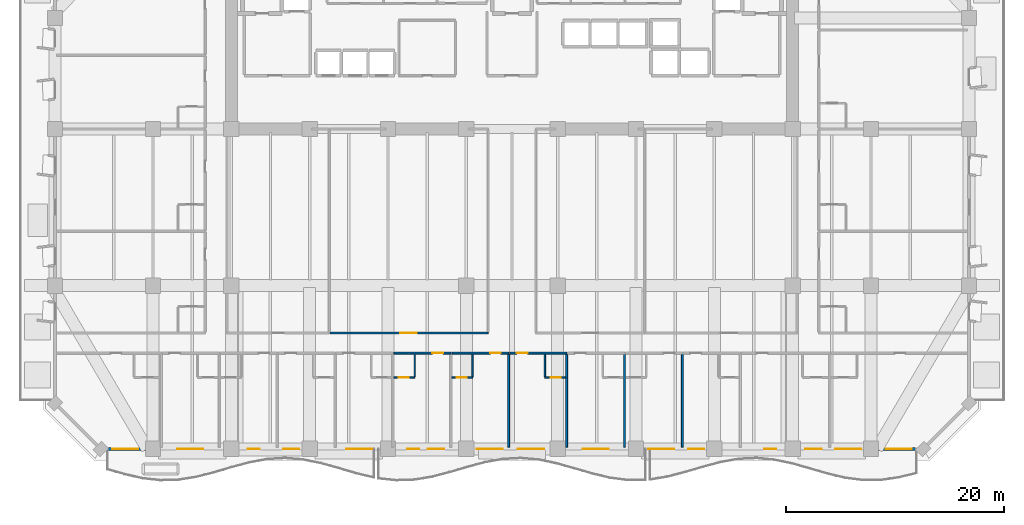
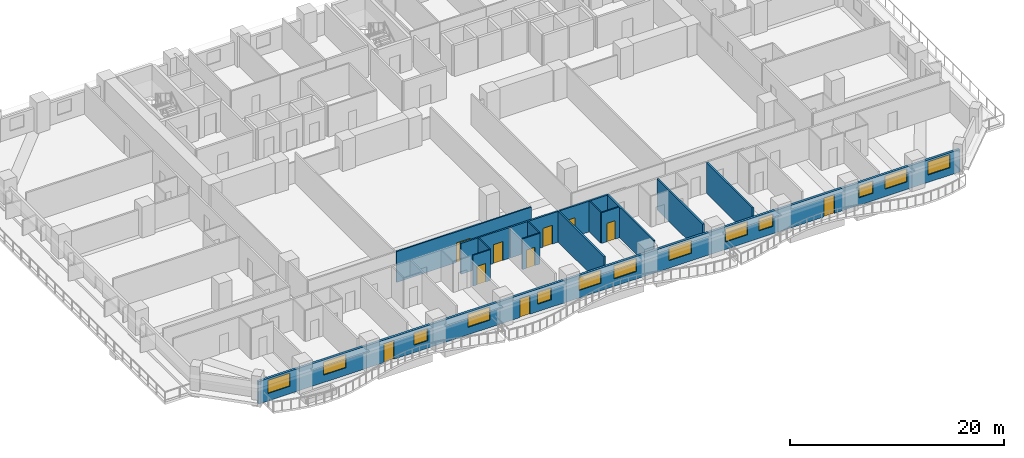
# One storey, part 7 of 17: 15 walls, 13 windows, 10 doors, 23 openings.
"""IFC4 building model written with IfcOpenShell, lengths in metres."""

from ifc_helpers import new_model, si_unit, direction, frame, frame_2d, origin, place, context, subcontext, project, spatial, rectangle, extrude, material, layer, layer_set, type_object, element, fill, save


model = new_model("IFC4")

# Units and contexts
model_context = context("Model", 3, precision=1e-05, world=origin(), true_north=direction((0.0, 1.0)))
body_context = subcontext(model_context, "Body", "Model", "MODEL_VIEW")
ifc_project = project(units=[si_unit("LENGTHUNIT", "METRE"), si_unit("AREAUNIT", "SQUARE_METRE"), si_unit("VOLUMEUNIT", "CUBIC_METRE"), si_unit("PLANEANGLEUNIT", "RADIAN"), si_unit("MASSUNIT", "GRAM", prefix="KILO")], contexts=[model_context])

# Site, building, storey
site_placement = place(None, origin())
site = spatial("IfcSite", under=ifc_project, at=site_placement, CompositionType="ELEMENT")
building_placement = place(site_placement, origin())
building = spatial("IfcBuilding", under=site, at=building_placement, Name="Kaelvorn Grand Hotel", CompositionType="ELEMENT")
storey_placement = place(building_placement, frame((0.0, 0.0, 31.39990234375)))
storey = spatial("IfcBuildingStorey", under=building, at=storey_placement, Name="L05", CompositionType="ELEMENT", Elevation=31.39990234375)

# Wall, openings, doors, windows
ifc_material_1 = material(Name="Concrete C40/50", Category="concrete")
ifc_layer_1 = layer(ifc_material_1, 0.260009765625)
ifc_layer_set_1 = layer_set([ifc_layer_1], Name="Concrete C40/50")
wall_type_1 = type_object("IfcWallType", Name="WL-EXT-260-C40", PredefinedType="SOLIDWALL", material=ifc_layer_set_1)
wall_1_placement = place(storey_placement, frame((4.199951171875, 0.0, 0.0), z_axis=(0.0, 0.0, 1.0), x_axis=(1.0, 0.0, 0.0)))
wall_1 = element("IfcWall", 1, at=wall_1_placement, inside=storey, type_object=wall_type_1, Name="L05 Exterior Architectural Concrete Wall 01", PredefinedType="SOLIDWALL", context=body_context, shape_type="SweptSolid", body=[
    extrude(rectangle(XDim=75.60009765625, YDim=0.260009765625, at=frame_2d((37.800048828125, 0.0))), origin(), (0.0, 0.0, 1.0), 2.56005859375),
])
opening_1_placement = place(wall_1_placement, frame((13.5166015625, 0.0, 0.0)))
opening_1 = element("IfcOpeningElement", 2, at=opening_1_placement, cuts=wall_1, Name="Opening DE2", PredefinedType="OPENING", context=body_context, shape_type="SweptSolid", body=[
    extrude(rectangle(XDim=1.10009765625, YDim=2.14990234375, at=frame_2d((0.550048828125, 1.074951171875))), frame((0.0, 0.14013671875, 0.0), z_axis=(0.0, -1.0, 0.0), x_axis=(1.0, 0.0, 0.0)), (0.0, 0.0, 1.0), 0.280029296875),
])
opening_2_placement = place(wall_1_placement, frame((28.183349609375, 0.0, 0.0)))
opening_2 = element("IfcOpeningElement", 3, at=opening_2_placement, cuts=wall_1, Name="Opening DE2", PredefinedType="OPENING", context=body_context, shape_type="SweptSolid", body=[
    extrude(rectangle(XDim=1.10009765625, YDim=2.14990234375, at=frame_2d((0.550048828125, 1.074951171875))), frame((0.0, 0.14013671875, 0.0), z_axis=(0.0, -1.0, 0.0), x_axis=(1.0, 0.0, 0.0)), (0.0, 0.0, 1.0), 0.280029296875),
])
opening_3_placement = place(wall_1_placement, frame((60.9833984375, 0.0, 0.0)))
opening_3 = element("IfcOpeningElement", 4, at=opening_3_placement, cuts=wall_1, Name="Opening DE2", PredefinedType="OPENING", context=body_context, shape_type="SweptSolid", body=[
    extrude(rectangle(XDim=1.10009765625, YDim=2.14990234375, at=frame_2d((0.550048828125, 1.074951171875))), frame((0.0, 0.14013671875, 0.0), z_axis=(0.0, -1.0, 0.0), x_axis=(1.0, 0.0, 0.0)), (0.0, 0.0, 1.0), 0.280029296875),
])
opening_4_placement = place(wall_1_placement, frame((1.034912109375, 0.0, 0.85009765625)))
opening_4 = element("IfcOpeningElement", 5, at=opening_4_placement, cuts=wall_1, Name="Opening W6", PredefinedType="OPENING", context=body_context, shape_type="SweptSolid", body=[
    extrude(rectangle(XDim=2.39990234375, YDim=1.5, at=frame_2d((1.199951171875, 0.75))), frame((0.0, 0.14013671875, 0.0), z_axis=(0.0, -1.0, 0.0), x_axis=(1.0, 0.0, 0.0)), (0.0, 0.0, 1.0), 0.280029296875),
])
opening_5_placement = place(wall_1_placement, frame((7.031494140625, 0.0, 0.85009765625)))
opening_5 = element("IfcOpeningElement", 6, at=opening_5_placement, cuts=wall_1, Name="Opening W6", PredefinedType="OPENING", context=body_context, shape_type="SweptSolid", body=[
    extrude(rectangle(XDim=2.39990234375, YDim=1.5, at=frame_2d((1.199951171875, 0.75))), frame((0.0, 0.14013671875, 0.0), z_axis=(0.0, -1.0, 0.0), x_axis=(1.0, 0.0, 0.0)), (0.0, 0.0, 1.0), 0.280029296875),
])
opening_6_placement = place(wall_1_placement, frame((16.757080078125, 0.0, 0.85009765625)))
opening_6 = element("IfcOpeningElement", 7, at=opening_6_placement, cuts=wall_1, Name="Opening W10", PredefinedType="OPENING", context=body_context, shape_type="SweptSolid", body=[
    extrude(rectangle(XDim=1.5, YDim=1.39990234375, at=frame_2d((0.75, 0.699951171875))), frame((0.0, 0.14013671875, 0.0), z_axis=(0.0, -1.0, 0.0), x_axis=(1.0, 0.0, 0.0)), (0.0, 0.0, 1.0), 0.280029296875),
])
opening_7_placement = place(wall_1_placement, frame((22.5673828125, 0.0, 0.85009765625)))
opening_7 = element("IfcOpeningElement", 8, at=opening_7_placement, cuts=wall_1, Name="Opening W6", PredefinedType="OPENING", context=body_context, shape_type="SweptSolid", body=[
    extrude(rectangle(XDim=2.39990234375, YDim=1.5, at=frame_2d((1.199951171875, 0.75))), frame((0.0, 0.14013671875, 0.0), z_axis=(0.0, -1.0, 0.0), x_axis=(1.0, 0.0, 0.0)), (0.0, 0.0, 1.0), 0.280029296875),
])
opening_8_placement = place(wall_1_placement, frame((30.065185546875, 0.0, 0.85009765625)))
opening_8 = element("IfcOpeningElement", 9, at=opening_8_placement, cuts=wall_1, Name="Opening W10", PredefinedType="OPENING", context=body_context, shape_type="SweptSolid", body=[
    extrude(rectangle(XDim=1.5, YDim=1.39990234375, at=frame_2d((0.75, 0.699951171875))), frame((0.0, 0.14013671875, 0.0), z_axis=(0.0, -1.0, 0.0), x_axis=(1.0, 0.0, 0.0)), (0.0, 0.0, 1.0), 0.280029296875),
])
opening_9_placement = place(wall_1_placement, frame((34.549560546875, 0.0, 0.85009765625)))
opening_9 = element("IfcOpeningElement", 10, at=opening_9_placement, cuts=wall_1, Name="Opening W6", PredefinedType="OPENING", context=body_context, shape_type="SweptSolid", body=[
    extrude(rectangle(XDim=2.39990234375, YDim=1.5, at=frame_2d((1.199951171875, 0.75))), frame((0.0, 0.14013671875, 0.0), z_axis=(0.0, -1.0, 0.0), x_axis=(1.0, 0.0, 0.0)), (0.0, 0.0, 1.0), 0.280029296875),
])
opening_10_placement = place(wall_1_placement, frame((38.349609375, 0.0, 0.85009765625)))
opening_10 = element("IfcOpeningElement", 11, at=opening_10_placement, cuts=wall_1, Name="Opening W6", PredefinedType="OPENING", context=body_context, shape_type="SweptSolid", body=[
    extrude(rectangle(XDim=2.39990234375, YDim=1.5, at=frame_2d((1.199951171875, 0.75))), frame((0.0, 0.14013671875, 0.0), z_axis=(0.0, -1.0, 0.0), x_axis=(1.0, 0.0, 0.0)), (0.0, 0.0, 1.0), 0.280029296875),
])
opening_11_placement = place(wall_1_placement, frame((44.280517578125, 0.0, 0.85009765625)))
opening_11 = element("IfcOpeningElement", 12, at=opening_11_placement, cuts=wall_1, Name="Opening W6", PredefinedType="OPENING", context=body_context, shape_type="SweptSolid", body=[
    extrude(rectangle(XDim=2.39990234375, YDim=1.5, at=frame_2d((1.199951171875, 0.75))), frame((0.0, 0.14013671875, 0.0), z_axis=(0.0, -1.0, 0.0), x_axis=(1.0, 0.0, 0.0)), (0.0, 0.0, 1.0), 0.280029296875),
])
opening_12_placement = place(wall_1_placement, frame((50.33154296875, 0.0, 0.85009765625)))
opening_12 = element("IfcOpeningElement", 13, at=opening_12_placement, cuts=wall_1, Name="Opening W6", PredefinedType="OPENING", context=body_context, shape_type="SweptSolid", body=[
    extrude(rectangle(XDim=2.39990234375, YDim=1.5, at=frame_2d((1.199951171875, 0.75))), frame((0.0, 0.14013671875, 0.0), z_axis=(0.0, -1.0, 0.0), x_axis=(1.0, 0.0, 0.0)), (0.0, 0.0, 1.0), 0.280029296875),
])
opening_13_placement = place(wall_1_placement, frame((53.9814453125, 0.0, 0.85009765625)))
opening_13 = element("IfcOpeningElement", 14, at=opening_13_placement, cuts=wall_1, Name="Opening W10", PredefinedType="OPENING", context=body_context, shape_type="SweptSolid", body=[
    extrude(rectangle(XDim=1.5, YDim=1.39990234375, at=frame_2d((0.75, 0.699951171875))), frame((0.0, 0.14013671875, 0.0), z_axis=(0.0, -1.0, 0.0), x_axis=(1.0, 0.0, 0.0)), (0.0, 0.0, 1.0), 0.280029296875),
])
opening_14_placement = place(wall_1_placement, frame((64.758544921875, 0.0, 0.85009765625)))
opening_14 = element("IfcOpeningElement", 15, at=opening_14_placement, cuts=wall_1, Name="Opening W10", PredefinedType="OPENING", context=body_context, shape_type="SweptSolid", body=[
    extrude(rectangle(XDim=1.5, YDim=1.39990234375, at=frame_2d((0.75, 0.699951171875))), frame((0.0, 0.14013671875, 0.0), z_axis=(0.0, -1.0, 0.0), x_axis=(1.0, 0.0, 0.0)), (0.0, 0.0, 1.0), 0.280029296875),
])
opening_15_placement = place(wall_1_placement, frame((67.508544921875, 0.0, 0.85009765625)))
opening_15 = element("IfcOpeningElement", 16, at=opening_15_placement, cuts=wall_1, Name="Opening W6", PredefinedType="OPENING", context=body_context, shape_type="SweptSolid", body=[
    extrude(rectangle(XDim=2.39990234375, YDim=1.5, at=frame_2d((1.199951171875, 0.75))), frame((0.0, 0.14013671875, 0.0), z_axis=(0.0, -1.0, 0.0), x_axis=(1.0, 0.0, 0.0)), (0.0, 0.0, 1.0), 0.280029296875),
])
opening_16_placement = place(wall_1_placement, frame((72.1650390625, 0.0, 0.85009765625)))
opening_16 = element("IfcOpeningElement", 17, at=opening_16_placement, cuts=wall_1, Name="Opening W6", PredefinedType="OPENING", context=body_context, shape_type="SweptSolid", body=[
    extrude(rectangle(XDim=2.39990234375, YDim=1.5, at=frame_2d((1.199951171875, 0.75))), frame((0.0, 0.14013671875, 0.0), z_axis=(0.0, -1.0, 0.0), x_axis=(1.0, 0.0, 0.0)), (0.0, 0.0, 1.0), 0.280029296875),
])
ifc_material_2 = material(Name="Anodised Aluminium", Category="aluminium")
door_type_1 = type_object("IfcDoorType", Name="DR-EXT-BALC-1100x2150", OperationType="NOTDEFINED", PredefinedType="DOOR", material=ifc_material_2)
door_1_placement = place(opening_1_placement, origin())
door_1 = element("IfcDoor", 18, at=door_1_placement, inside=storey, type_object=door_type_1, Name="L05 Scalloped Balcony Glazed Door DE2-1", OperationType="SINGLE_SWING_RIGHT", OverallHeight=2.14990234375, OverallWidth=1.10009765625, PredefinedType="DOOR", context=body_context, shape_type="SweptSolid", body=[
    extrude(rectangle(XDim=1.10009765625, YDim=2.14990234375, at=frame_2d((0.550048828125, 1.074951171875))), frame((0.0, 0.02490234375, 0.0), z_axis=(0.0, -1.0, 0.0), x_axis=(1.0, 0.0, 0.0)), (0.0, 0.0, 1.0), 0.050048828125),
])
fill(opening_1, door_1)
door_2_placement = place(opening_2_placement, origin())
door_2 = element("IfcDoor", 19, at=door_2_placement, inside=storey, type_object=door_type_1, Name="L05 Scalloped Balcony Glazed Door DE2-2", OperationType="SINGLE_SWING_LEFT", OverallHeight=2.14990234375, OverallWidth=1.10009765625, PredefinedType="DOOR", context=body_context, shape_type="SweptSolid", body=[
    extrude(rectangle(XDim=1.10009765625, YDim=2.14990234375, at=frame_2d((0.550048828125, 1.074951171875))), frame((0.0, 0.02490234375, 0.0), z_axis=(0.0, -1.0, 0.0), x_axis=(1.0, 0.0, 0.0)), (0.0, 0.0, 1.0), 0.050048828125),
])
fill(opening_2, door_2)
door_3_placement = place(opening_3_placement, origin())
door_3 = element("IfcDoor", 20, at=door_3_placement, inside=storey, type_object=door_type_1, Name="L05 Scalloped Balcony Glazed Door DE2-3", OperationType="SINGLE_SWING_RIGHT", OverallHeight=2.14990234375, OverallWidth=1.10009765625, PredefinedType="DOOR", context=body_context, shape_type="SweptSolid", body=[
    extrude(rectangle(XDim=1.10009765625, YDim=2.14990234375, at=frame_2d((0.550048828125, 1.074951171875))), frame((0.0, 0.02490234375, 0.0), z_axis=(0.0, -1.0, 0.0), x_axis=(1.0, 0.0, 0.0)), (0.0, 0.0, 1.0), 0.050048828125),
])
fill(opening_3, door_3)
ifc_material_3 = material(Name="Laminated Low-E Glass", Category="glass")
window_type_1 = type_object("IfcWindowType", Name="WIN-COR-1500x1400", PartitioningType="SINGLE_PANEL", PredefinedType="WINDOW", material=ifc_material_3)
window_1_placement = place(opening_6_placement, origin())
window_1 = element("IfcWindow", 21, at=window_1_placement, inside=storey, type_object=window_type_1, Name="L05 South Guestroom Ribbon Window SR03", OverallHeight=1.39990234375, OverallWidth=1.5, PartitioningType="SINGLE_PANEL", PredefinedType="WINDOW", context=body_context, shape_type="SweptSolid", body=[
    extrude(rectangle(XDim=1.5, YDim=1.39990234375, at=frame_2d((0.75, 0.699951171875))), frame((0.0, 0.030029296875, 0.0), z_axis=(0.0, -1.0, 0.0), x_axis=(1.0, 0.0, 0.0)), (0.0, 0.0, 1.0), 0.06005859375),
])
fill(opening_6, window_1)
window_2_placement = place(opening_8_placement, origin())
window_2 = element("IfcWindow", 22, at=window_2_placement, inside=storey, type_object=window_type_1, Name="L05 South Guestroom Ribbon Window SR05", OverallHeight=1.39990234375, OverallWidth=1.5, PartitioningType="SINGLE_PANEL", PredefinedType="WINDOW", context=body_context, shape_type="SweptSolid", body=[
    extrude(rectangle(XDim=1.5, YDim=1.39990234375, at=frame_2d((0.75, 0.699951171875))), frame((0.0, 0.030029296875, 0.0), z_axis=(0.0, -1.0, 0.0), x_axis=(1.0, 0.0, 0.0)), (0.0, 0.0, 1.0), 0.06005859375),
])
fill(opening_8, window_2)
window_3_placement = place(opening_13_placement, origin())
window_3 = element("IfcWindow", 23, at=window_3_placement, inside=storey, type_object=window_type_1, Name="L05 South Guestroom Ribbon Window SR10", OverallHeight=1.39990234375, OverallWidth=1.5, PartitioningType="SINGLE_PANEL", PredefinedType="WINDOW", context=body_context, shape_type="SweptSolid", body=[
    extrude(rectangle(XDim=1.5, YDim=1.39990234375, at=frame_2d((0.75, 0.699951171875))), frame((0.0, 0.030029296875, 0.0), z_axis=(0.0, -1.0, 0.0), x_axis=(1.0, 0.0, 0.0)), (0.0, 0.0, 1.0), 0.06005859375),
])
fill(opening_13, window_3)
window_4_placement = place(opening_14_placement, origin())
window_4 = element("IfcWindow", 24, at=window_4_placement, inside=storey, type_object=window_type_1, Name="L05 South Guestroom Ribbon Window SR11", OverallHeight=1.39990234375, OverallWidth=1.5, PartitioningType="SINGLE_PANEL", PredefinedType="WINDOW", context=body_context, shape_type="SweptSolid", body=[
    extrude(rectangle(XDim=1.5, YDim=1.39990234375, at=frame_2d((0.75, 0.699951171875))), frame((0.0, 0.030029296875, 0.0), z_axis=(0.0, -1.0, 0.0), x_axis=(1.0, 0.0, 0.0)), (0.0, 0.0, 1.0), 0.06005859375),
])
fill(opening_14, window_4)
window_type_2 = type_object("IfcWindowType", Name="WIN-NTH-2400x1500", PartitioningType="SINGLE_PANEL", PredefinedType="WINDOW", material=ifc_material_3)
window_5_placement = place(opening_4_placement, origin())
window_5 = element("IfcWindow", 25, at=window_5_placement, inside=storey, type_object=window_type_2, Name="L05 South Guestroom Ribbon Window SR01", OverallHeight=1.5, OverallWidth=2.39990234375, PartitioningType="SINGLE_PANEL", PredefinedType="WINDOW", context=body_context, shape_type="SweptSolid", body=[
    extrude(rectangle(XDim=2.39990234375, YDim=1.5, at=frame_2d((1.199951171875, 0.75))), frame((0.0, 0.030029296875, 0.0), z_axis=(0.0, -1.0, 0.0), x_axis=(1.0, 0.0, 0.0)), (0.0, 0.0, 1.0), 0.06005859375),
])
fill(opening_4, window_5)
window_6_placement = place(opening_5_placement, origin())
window_6 = element("IfcWindow", 26, at=window_6_placement, inside=storey, type_object=window_type_2, Name="L05 South Guestroom Ribbon Window SR02", OverallHeight=1.5, OverallWidth=2.39990234375, PartitioningType="SINGLE_PANEL", PredefinedType="WINDOW", context=body_context, shape_type="SweptSolid", body=[
    extrude(rectangle(XDim=2.39990234375, YDim=1.5, at=frame_2d((1.199951171875, 0.75))), frame((0.0, 0.030029296875, 0.0), z_axis=(0.0, -1.0, 0.0), x_axis=(1.0, 0.0, 0.0)), (0.0, 0.0, 1.0), 0.06005859375),
])
fill(opening_5, window_6)
window_7_placement = place(opening_7_placement, origin())
window_7 = element("IfcWindow", 27, at=window_7_placement, inside=storey, type_object=window_type_2, Name="L05 South Guestroom Ribbon Window SR04", OverallHeight=1.5, OverallWidth=2.39990234375, PartitioningType="SINGLE_PANEL", PredefinedType="WINDOW", context=body_context, shape_type="SweptSolid", body=[
    extrude(rectangle(XDim=2.39990234375, YDim=1.5, at=frame_2d((1.199951171875, 0.75))), frame((0.0, 0.030029296875, 0.0), z_axis=(0.0, -1.0, 0.0), x_axis=(1.0, 0.0, 0.0)), (0.0, 0.0, 1.0), 0.06005859375),
])
fill(opening_7, window_7)
window_8_placement = place(opening_9_placement, origin())
window_8 = element("IfcWindow", 28, at=window_8_placement, inside=storey, type_object=window_type_2, Name="L05 South Guestroom Ribbon Window SR06", OverallHeight=1.5, OverallWidth=2.39990234375, PartitioningType="SINGLE_PANEL", PredefinedType="WINDOW", context=body_context, shape_type="SweptSolid", body=[
    extrude(rectangle(XDim=2.39990234375, YDim=1.5, at=frame_2d((1.199951171875, 0.75))), frame((0.0, 0.030029296875, 0.0), z_axis=(0.0, -1.0, 0.0), x_axis=(1.0, 0.0, 0.0)), (0.0, 0.0, 1.0), 0.06005859375),
])
fill(opening_9, window_8)
window_9_placement = place(opening_10_placement, origin())
window_9 = element("IfcWindow", 29, at=window_9_placement, inside=storey, type_object=window_type_2, Name="L05 South Guestroom Ribbon Window SR07", OverallHeight=1.5, OverallWidth=2.39990234375, PartitioningType="SINGLE_PANEL", PredefinedType="WINDOW", context=body_context, shape_type="SweptSolid", body=[
    extrude(rectangle(XDim=2.39990234375, YDim=1.5, at=frame_2d((1.199951171875, 0.75))), frame((0.0, 0.030029296875, 0.0), z_axis=(0.0, -1.0, 0.0), x_axis=(1.0, 0.0, 0.0)), (0.0, 0.0, 1.0), 0.06005859375),
])
fill(opening_10, window_9)
window_10_placement = place(opening_11_placement, origin())
window_10 = element("IfcWindow", 30, at=window_10_placement, inside=storey, type_object=window_type_2, Name="L05 South Guestroom Ribbon Window SR08", OverallHeight=1.5, OverallWidth=2.39990234375, PartitioningType="SINGLE_PANEL", PredefinedType="WINDOW", context=body_context, shape_type="SweptSolid", body=[
    extrude(rectangle(XDim=2.39990234375, YDim=1.5, at=frame_2d((1.199951171875, 0.75))), frame((0.0, 0.030029296875, 0.0), z_axis=(0.0, -1.0, 0.0), x_axis=(1.0, 0.0, 0.0)), (0.0, 0.0, 1.0), 0.06005859375),
])
fill(opening_11, window_10)
window_11_placement = place(opening_12_placement, origin())
window_11 = element("IfcWindow", 31, at=window_11_placement, inside=storey, type_object=window_type_2, Name="L05 South Guestroom Ribbon Window SR09", OverallHeight=1.5, OverallWidth=2.39990234375, PartitioningType="SINGLE_PANEL", PredefinedType="WINDOW", context=body_context, shape_type="SweptSolid", body=[
    extrude(rectangle(XDim=2.39990234375, YDim=1.5, at=frame_2d((1.199951171875, 0.75))), frame((0.0, 0.030029296875, 0.0), z_axis=(0.0, -1.0, 0.0), x_axis=(1.0, 0.0, 0.0)), (0.0, 0.0, 1.0), 0.06005859375),
])
fill(opening_12, window_11)
window_12_placement = place(opening_15_placement, origin())
window_12 = element("IfcWindow", 32, at=window_12_placement, inside=storey, type_object=window_type_2, Name="L05 South Guestroom Ribbon Window SR12", OverallHeight=1.5, OverallWidth=2.39990234375, PartitioningType="SINGLE_PANEL", PredefinedType="WINDOW", context=body_context, shape_type="SweptSolid", body=[
    extrude(rectangle(XDim=2.39990234375, YDim=1.5, at=frame_2d((1.199951171875, 0.75))), frame((0.0, 0.030029296875, 0.0), z_axis=(0.0, -1.0, 0.0), x_axis=(1.0, 0.0, 0.0)), (0.0, 0.0, 1.0), 0.06005859375),
])
fill(opening_15, window_12)
window_13_placement = place(opening_16_placement, origin())
window_13 = element("IfcWindow", 33, at=window_13_placement, inside=storey, type_object=window_type_2, Name="L05 South Guestroom Ribbon Window SR13", OverallHeight=1.5, OverallWidth=2.39990234375, PartitioningType="SINGLE_PANEL", PredefinedType="WINDOW", context=body_context, shape_type="SweptSolid", body=[
    extrude(rectangle(XDim=2.39990234375, YDim=1.5, at=frame_2d((1.199951171875, 0.75))), frame((0.0, 0.030029296875, 0.0), z_axis=(0.0, -1.0, 0.0), x_axis=(1.0, 0.0, 0.0)), (0.0, 0.0, 1.0), 0.06005859375),
])
fill(opening_16, window_13)

# Wall, opening, door
ifc_material_4 = material(Name="Moisture-Resistant Tile & Stud Board")
ifc_layer_2 = layer(ifc_material_4, 0.125)
ifc_layer_set_2 = layer_set([ifc_layer_2], Name="Moisture-Resistant Tile & Stud Board")
wall_type_2 = type_object("IfcWallType", Name="WL-PART-125-WET", PredefinedType="PARTITIONING", material=ifc_layer_set_2)
wall_2_placement = place(storey_placement, frame((31.1513671875, 6.550048828125, 0.0), z_axis=(0.0, 0.0, 1.0), x_axis=(1.0, 0.0, 0.0)))
wall_2 = element("IfcWall", 34, at=wall_2_placement, inside=storey, type_object=wall_type_2, Name="L05 En-suite Bathroom L05-06 S Partition", PredefinedType="PARTITIONING", context=body_context, shape_type="SweptSolid", body=[
    extrude(rectangle(XDim=1.905029296875, YDim=0.125, at=frame_2d((0.95263671875, 0.0))), origin(), (0.0, 0.0, 1.0), 3.510009765625),
])
opening_17_placement = place(wall_2_placement, frame((0.455078125, 0.0, 0.0)))
opening_17 = element("IfcOpeningElement", 35, at=opening_17_placement, cuts=wall_2, Name="Opening DI4", PredefinedType="OPENING", context=body_context, shape_type="SweptSolid", body=[
    extrude(rectangle(XDim=0.89990234375, YDim=2.10009765625, at=frame_2d((0.449951171875, 1.050048828125))), frame((0.0, 0.072509765625, 0.0), z_axis=(0.0, -1.0, 0.0), x_axis=(1.0, 0.0, 0.0)), (0.0, 0.0, 1.0), 0.14501953125),
])
ifc_material_5 = material(Name="Timber Veneer Leaf", Category="wood")
door_type_2 = type_object("IfcDoorType", Name="DR-INT-BATH-900x2100", OperationType="NOTDEFINED", PredefinedType="DOOR", material=ifc_material_5)
door_4_placement = place(opening_17_placement, origin())
door_4 = element("IfcDoor", 36, at=door_4_placement, inside=storey, type_object=door_type_2, Name="L05 En-suite Bathroom L05-06 Door", OperationType="SINGLE_SWING_RIGHT", OverallHeight=2.10009765625, OverallWidth=0.89990234375, PredefinedType="DOOR", context=body_context, shape_type="SweptSolid", body=[
    extrude(rectangle(XDim=0.89990234375, YDim=2.10009765625, at=frame_2d((0.449951171875, 1.050048828125))), frame((0.0, 0.02490234375, 0.0), z_axis=(0.0, -1.0, 0.0), x_axis=(1.0, 0.0, 0.0)), (0.0, 0.0, 1.0), 0.050048828125),
])
fill(opening_17, door_4)

# Wall
wall_3_placement = place(storey_placement, frame((33.056396484375, 6.617431640625, 0.0), z_axis=(0.0, 0.0, 1.0), x_axis=(0.0, 1.0, 0.0)))
element("IfcWall", 37, at=wall_3_placement, inside=storey, type_object=wall_type_2, Name="L05 En-suite Bathroom L05-06 E Partition", PredefinedType="PARTITIONING", context=body_context, shape_type="SweptSolid", body=[
    extrude(rectangle(XDim=2.087646484375, YDim=0.125, at=frame_2d((1.0439453125, 0.0))), origin(), (0.0, 0.0, 1.0), 3.510009765625),
])

# Wall, opening, door
wall_4_placement = place(storey_placement, frame((36.472412109375, 6.550048828125, 0.0), z_axis=(0.0, 0.0, 1.0), x_axis=(1.0, 0.0, 0.0)))
wall_4 = element("IfcWall", 38, at=wall_4_placement, inside=storey, type_object=wall_type_2, Name="L05 En-suite Bathroom L05-07 S Partition", PredefinedType="PARTITIONING", context=body_context, shape_type="SweptSolid", body=[
    extrude(rectangle(XDim=1.905029296875, YDim=0.125, at=frame_2d((0.95263671875, 0.0))), origin(), (0.0, 0.0, 1.0), 3.510009765625),
])
opening_18_placement = place(wall_4_placement, frame((0.455078125, 0.0, 0.0)))
opening_18 = element("IfcOpeningElement", 39, at=opening_18_placement, cuts=wall_4, Name="Opening DI4", PredefinedType="OPENING", context=body_context, shape_type="SweptSolid", body=[
    extrude(rectangle(XDim=0.89990234375, YDim=2.10009765625, at=frame_2d((0.449951171875, 1.050048828125))), frame((0.0, 0.072509765625, 0.0), z_axis=(0.0, -1.0, 0.0), x_axis=(1.0, 0.0, 0.0)), (0.0, 0.0, 1.0), 0.14501953125),
])
door_5_placement = place(opening_18_placement, origin())
door_5 = element("IfcDoor", 40, at=door_5_placement, inside=storey, type_object=door_type_2, Name="L05 En-suite Bathroom L05-07 Door", OperationType="SINGLE_SWING_RIGHT", OverallHeight=2.10009765625, OverallWidth=0.89990234375, PredefinedType="DOOR", context=body_context, shape_type="SweptSolid", body=[
    extrude(rectangle(XDim=0.89990234375, YDim=2.10009765625, at=frame_2d((0.449951171875, 1.050048828125))), frame((0.0, 0.02490234375, 0.0), z_axis=(0.0, -1.0, 0.0), x_axis=(1.0, 0.0, 0.0)), (0.0, 0.0, 1.0), 0.050048828125),
])
fill(opening_18, door_5)

# Wall
wall_5_placement = place(storey_placement, frame((38.37744140625, 6.617431640625, 0.0), z_axis=(0.0, 0.0, 1.0), x_axis=(0.0, 1.0, 0.0)))
element("IfcWall", 41, at=wall_5_placement, inside=storey, type_object=wall_type_2, Name="L05 En-suite Bathroom L05-07 E Partition", PredefinedType="PARTITIONING", context=body_context, shape_type="SweptSolid", body=[
    extrude(rectangle(XDim=2.087646484375, YDim=0.125, at=frame_2d((1.0439453125, 0.0))), origin(), (0.0, 0.0, 1.0), 3.510009765625),
])

# Wall, opening, door
wall_6_placement = place(storey_placement, frame((45.02001953125, 6.550048828125, 0.0), z_axis=(0.0, 0.0, 1.0), x_axis=(1.0, 0.0, 0.0)))
wall_6 = element("IfcWall", 42, at=wall_6_placement, inside=storey, type_object=wall_type_2, Name="L05 En-suite Bathroom L05-08 S Partition", PredefinedType="PARTITIONING", context=body_context, shape_type="SweptSolid", body=[
    extrude(rectangle(XDim=1.905029296875, YDim=0.125, at=frame_2d((0.95263671875, 0.0))), origin(), (0.0, 0.0, 1.0), 3.510009765625),
])
opening_19_placement = place(wall_6_placement, frame((0.550048828125, 0.0, 0.0)))
opening_19 = element("IfcOpeningElement", 43, at=opening_19_placement, cuts=wall_6, Name="Opening DI4", PredefinedType="OPENING", context=body_context, shape_type="SweptSolid", body=[
    extrude(rectangle(XDim=0.89990234375, YDim=2.10009765625, at=frame_2d((0.449951171875, 1.050048828125))), frame((0.0, 0.072509765625, 0.0), z_axis=(0.0, -1.0, 0.0), x_axis=(1.0, 0.0, 0.0)), (0.0, 0.0, 1.0), 0.14501953125),
])
door_6_placement = place(opening_19_placement, origin())
door_6 = element("IfcDoor", 44, at=door_6_placement, inside=storey, type_object=door_type_2, Name="L05 En-suite Bathroom L05-08 Door", OperationType="SINGLE_SWING_RIGHT", OverallHeight=2.10009765625, OverallWidth=0.89990234375, PredefinedType="DOOR", context=body_context, shape_type="SweptSolid", body=[
    extrude(rectangle(XDim=0.89990234375, YDim=2.10009765625, at=frame_2d((0.449951171875, 1.050048828125))), frame((0.0, 0.02490234375, 0.0), z_axis=(0.0, -1.0, 0.0), x_axis=(1.0, 0.0, 0.0)), (0.0, 0.0, 1.0), 0.050048828125),
])
fill(opening_19, door_6)

# Wall
wall_7_placement = place(storey_placement, frame((45.02001953125, 6.617431640625, 0.0), z_axis=(0.0, 0.0, 1.0), x_axis=(0.0, 1.0, 0.0)))
element("IfcWall", 45, at=wall_7_placement, inside=storey, type_object=wall_type_2, Name="L05 En-suite Bathroom L05-08 W Partition", PredefinedType="PARTITIONING", context=body_context, shape_type="SweptSolid", body=[
    extrude(rectangle(XDim=2.087646484375, YDim=0.125, at=frame_2d((1.0439453125, 0.0))), origin(), (0.0, 0.0, 1.0), 3.510009765625),
])

# Wall, opening, door
ifc_material_6 = material(Name="Acoustic Gypsum & Stud Partition")
ifc_layer_3 = layer(ifc_material_6, 0.14990234375)
ifc_layer_set_3 = layer_set([ifc_layer_3], Name="Acoustic Gypsum & Stud Partition")
wall_type_3 = type_object("IfcWallType", Name="WL-PART-150-EI60", PredefinedType="PARTITIONING", material=ifc_layer_set_3)
wall_8_placement = place(storey_placement, frame((25.280029296875, 10.64990234375, 0.0), z_axis=(0.0, 0.0, 1.0), x_axis=(1.0, 0.0, 0.0)))
wall_8 = element("IfcWall", 46, at=wall_8_placement, inside=storey, type_object=wall_type_3, Name="L05 Guest Butler Kitchen S Partition", PredefinedType="PARTITIONING", context=body_context, shape_type="SweptSolid", body=[
    extrude(rectangle(XDim=14.52001953125, YDim=0.14990234375, at=frame_2d((7.260009765625, 0.0))), origin(), (0.0, 0.0, 1.0), 3.510009765625),
])
opening_20_placement = place(wall_8_placement, frame((6.469970703125, 0.0, 0.0)))
opening_20 = element("IfcOpeningElement", 47, at=opening_20_placement, cuts=wall_8, Name="Opening DI5", PredefinedType="OPENING", context=body_context, shape_type="SweptSolid", body=[
    extrude(rectangle(XDim=1.5, YDim=2.25, at=frame_2d((0.75, 1.125))), frame((0.0, 0.0849609375, 0.0), z_axis=(0.0, -1.0, 0.0), x_axis=(1.0, 0.0, 0.0)), (0.0, 0.0, 1.0), 0.169921875),
])
ifc_material_7 = material(Name="Timber Veneer Fire Leaf", Category="wood")
door_type_3 = type_object("IfcDoorType", Name="DR-INT-SALON-1500x2250", OperationType="DOUBLE_DOOR_SINGLE_SWING", PredefinedType="DOOR", material=ifc_material_7)
door_7_placement = place(opening_20_placement, origin())
door_7 = element("IfcDoor", 48, at=door_7_placement, inside=storey, type_object=door_type_3, Name="L05 Guest Butler Kitchen Door", OperationType="DOUBLE_DOOR_SINGLE_SWING", OverallHeight=2.25, OverallWidth=1.5, PredefinedType="DOOR", context=body_context, shape_type="SweptSolid", body=[
    extrude(rectangle(XDim=1.5, YDim=2.25, at=frame_2d((0.75, 1.125))), frame((0.0, 0.02490234375, 0.0), z_axis=(0.0, -1.0, 0.0), x_axis=(1.0, 0.0, 0.0)), (0.0, 0.0, 1.0), 0.050048828125),
])
fill(opening_20, door_7)

ifc_layer_4 = layer(ifc_material_6, 0.179931640625)
ifc_layer_set_4 = layer_set([ifc_layer_4], Name="Acoustic Gypsum & Stud Partition")
wall_type_4 = type_object("IfcWallType", Name="WL-PART-180-EI60", PredefinedType="PARTITIONING", material=ifc_layer_set_4)
wall_9_placement = place(storey_placement, frame((31.1513671875, 8.800048828125, 0.0), z_axis=(0.0, 0.0, 1.0), x_axis=(1.0, 0.0, 0.0)))
wall_9 = element("IfcWall", 49, at=wall_9_placement, inside=storey, type_object=wall_type_4, Name="L05 Deluxe King Guest Room L05-06 N Partition", PredefinedType="PARTITIONING", context=body_context, shape_type="SweptSolid", body=[
    extrude(rectangle(XDim=5.22607421875, YDim=0.179931640625, at=frame_2d((2.613037109375, 0.0))), origin(), (0.0, 0.0, 1.0), 3.510009765625),
])
opening_21_placement = place(wall_9_placement, frame((3.515625, 0.0, 0.0)))
opening_21 = element("IfcOpeningElement", 50, at=opening_21_placement, cuts=wall_9, Name="Opening DI3", PredefinedType="OPENING", context=body_context, shape_type="SweptSolid", body=[
    extrude(rectangle(XDim=1.0, YDim=2.14990234375, at=frame_2d((0.5, 1.074951171875))), frame((0.0, 0.10009765625, 0.0), z_axis=(0.0, -1.0, 0.0), x_axis=(1.0, 0.0, 0.0)), (0.0, 0.0, 1.0), 0.199951171875),
])
door_type_4 = type_object("IfcDoorType", Name="DR-INT-GUEST-1000x2150", OperationType="NOTDEFINED", PredefinedType="DOOR", material=ifc_material_7)
door_8_placement = place(opening_21_placement, origin())
door_8 = element("IfcDoor", 51, at=door_8_placement, inside=storey, type_object=door_type_4, Name="L05 Deluxe King Guest Room L05-06 Door", OperationType="SINGLE_SWING_LEFT", OverallHeight=2.14990234375, OverallWidth=1.0, PredefinedType="DOOR", context=body_context, shape_type="SweptSolid", body=[
    extrude(rectangle(XDim=1.0, YDim=2.14990234375, at=frame_2d((0.5, 1.074951171875))), frame((0.0, 0.02490234375, 0.0), z_axis=(0.0, -1.0, 0.0), x_axis=(1.0, 0.0, 0.0)), (0.0, 0.0, 1.0), 0.050048828125),
])
fill(opening_21, door_8)

wall_10_placement = place(storey_placement, frame((36.472412109375, 8.800048828125, 0.0), z_axis=(0.0, 0.0, 1.0), x_axis=(1.0, 0.0, 0.0)))
wall_10 = element("IfcWall", 52, at=wall_10_placement, inside=storey, type_object=wall_type_4, Name="L05 Deluxe King Guest Room L05-07 N Partition", PredefinedType="PARTITIONING", context=body_context, shape_type="SweptSolid", body=[
    extrude(rectangle(XDim=5.226318359375, YDim=0.179931640625, at=frame_2d((2.61328125, 0.0))), origin(), (0.0, 0.0, 1.0), 3.510009765625),
])
opening_22_placement = place(wall_10_placement, frame((3.515625, 0.0, 0.0)))
opening_22 = element("IfcOpeningElement", 53, at=opening_22_placement, cuts=wall_10, Name="Opening DI3", PredefinedType="OPENING", context=body_context, shape_type="SweptSolid", body=[
    extrude(rectangle(XDim=1.0, YDim=2.14990234375, at=frame_2d((0.5, 1.074951171875))), frame((0.0, 0.10009765625, 0.0), z_axis=(0.0, -1.0, 0.0), x_axis=(1.0, 0.0, 0.0)), (0.0, 0.0, 1.0), 0.199951171875),
])
door_9_placement = place(opening_22_placement, origin())
door_9 = element("IfcDoor", 54, at=door_9_placement, inside=storey, type_object=door_type_4, Name="L05 Deluxe King Guest Room L05-07 Door", OperationType="SINGLE_SWING_LEFT", OverallHeight=2.14990234375, OverallWidth=1.0, PredefinedType="DOOR", context=body_context, shape_type="SweptSolid", body=[
    extrude(rectangle(XDim=1.0, YDim=2.14990234375, at=frame_2d((0.5, 1.074951171875))), frame((0.0, 0.02490234375, 0.0), z_axis=(0.0, -1.0, 0.0), x_axis=(1.0, 0.0, 0.0)), (0.0, 0.0, 1.0), 0.050048828125),
])
fill(opening_22, door_9)

# Wall
wall_11_placement = place(storey_placement, frame((41.69873046875, 0.14990234375, 0.0), z_axis=(0.0, 0.0, 1.0), x_axis=(0.0, 1.0, 0.0)))
element("IfcWall", 55, at=wall_11_placement, inside=storey, type_object=wall_type_4, Name="L05 Deluxe King Guest Room L05-07 E Partition", PredefinedType="PARTITIONING", context=body_context, shape_type="SweptSolid", body=[
    extrude(rectangle(XDim=8.55517578125, YDim=0.179931640625, at=frame_2d((4.277587890625, 0.0))), origin(), (0.0, 0.0, 1.0), 3.510009765625),
])

# Wall, opening, door
wall_12_placement = place(storey_placement, frame((41.793701171875, 8.800048828125, 0.0), z_axis=(0.0, 0.0, 1.0), x_axis=(1.0, 0.0, 0.0)))
wall_12 = element("IfcWall", 56, at=wall_12_placement, inside=storey, type_object=wall_type_4, Name="L05 Deluxe King Guest Room L05-08 N Partition", PredefinedType="PARTITIONING", context=body_context, shape_type="SweptSolid", body=[
    extrude(rectangle(XDim=5.226318359375, YDim=0.179931640625, at=frame_2d((2.61328125, 0.0))), origin(), (0.0, 0.0, 1.0), 3.510009765625),
])
opening_23_placement = place(wall_12_placement, frame((0.64990234375, 0.0, 0.0)))
opening_23 = element("IfcOpeningElement", 57, at=opening_23_placement, cuts=wall_12, Name="Opening DI3", PredefinedType="OPENING", context=body_context, shape_type="SweptSolid", body=[
    extrude(rectangle(XDim=1.0, YDim=2.14990234375, at=frame_2d((0.5, 1.074951171875))), frame((0.0, 0.10009765625, 0.0), z_axis=(0.0, -1.0, 0.0), x_axis=(1.0, 0.0, 0.0)), (0.0, 0.0, 1.0), 0.199951171875),
])
door_10_placement = place(opening_23_placement, origin())
door_10 = element("IfcDoor", 58, at=door_10_placement, inside=storey, type_object=door_type_4, Name="L05 Deluxe King Guest Room L05-08 Door", OperationType="SINGLE_SWING_LEFT", OverallHeight=2.14990234375, OverallWidth=1.0, PredefinedType="DOOR", context=body_context, shape_type="SweptSolid", body=[
    extrude(rectangle(XDim=1.0, YDim=2.14990234375, at=frame_2d((0.5, 1.074951171875))), frame((0.0, 0.02490234375, 0.0), z_axis=(0.0, -1.0, 0.0), x_axis=(1.0, 0.0, 0.0)), (0.0, 0.0, 1.0), 0.050048828125),
])
fill(opening_23, door_10)

# Walls
for number, where, z_axis, x_axis, name in (
    (59, (47.02001953125, 0.14990234375, 0.0), (0.0, 0.0, 1.0), (0.0, 1.0, 0.0), "L05 Deluxe King Guest Room L05-08 E Partition"),
    (60, (52.34130859375, 0.14990234375, 0.0), (0.0, 0.0, 1.0), (0.0, 1.0, 0.0), "L05 Deluxe King Guest Room L05-09 E Partition"),
    (61, (57.66259765625, 0.14990234375, 0.0), (0.0, 0.0, 1.0), (0.0, 1.0, 0.0), "L05 Deluxe King Guest Room L05-10 E Partition"),
):
    element("IfcWall", number, at=place(storey_placement, frame(where, z_axis=z_axis, x_axis=x_axis)), inside=storey, type_object=wall_type_4, Name=name, PredefinedType="PARTITIONING", context=body_context, shape_type="SweptSolid", body=[
        extrude(rectangle(XDim=8.55517578125, YDim=0.179931640625, at=frame_2d((4.277587890625, 0.0))), origin(), (0.0, 0.0, 1.0), 3.510009765625),
    ])

save(model, "model.ifc")
